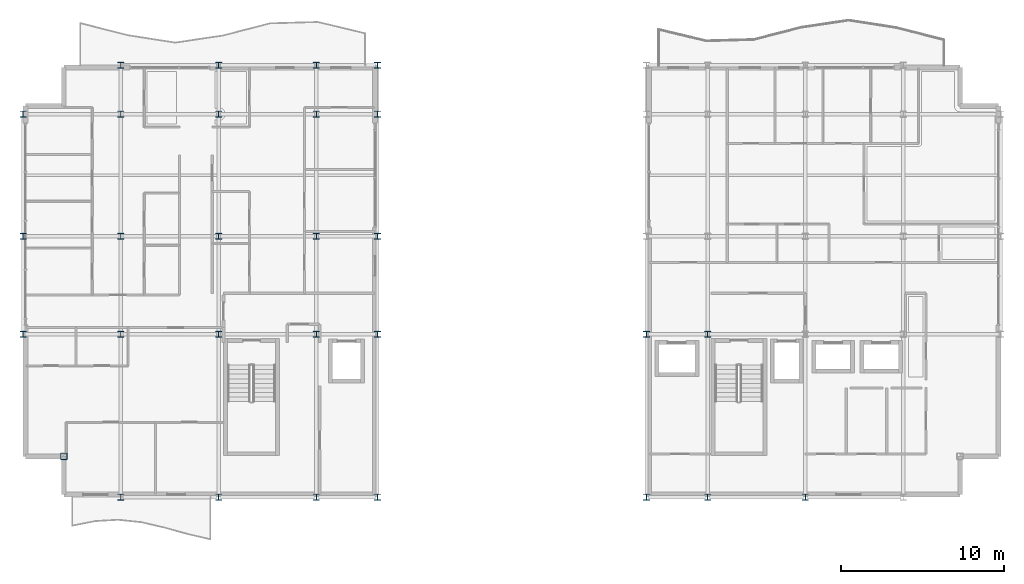
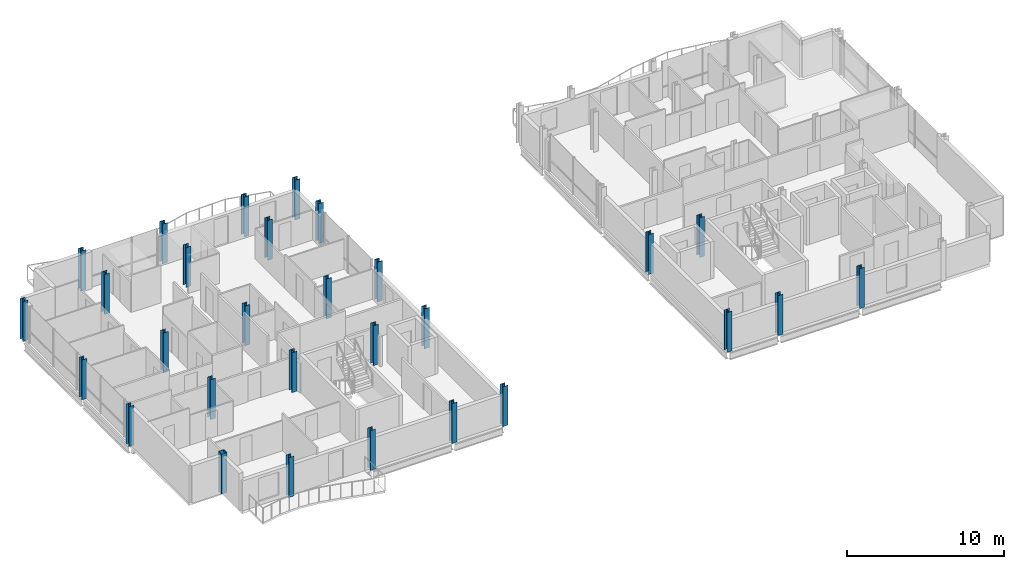
# One storey, part 1 of 29: 29 columns.
"""IFC4 building model written with IfcOpenShell, lengths in metres."""

from ifc_helpers import new_model, si_unit, direction, frame, origin, origin_2d, place, context, subcontext, project, spatial, hollow_rectangle, i_section, extrude, material, material_profile, profile_set, type_object, element, save


model = new_model("IFC4")

# Units and contexts
model_context = context("Model", 3, precision=1e-05, world=origin(), true_north=direction((0.0, 1.0)))
body_context = subcontext(model_context, "Body", "Model", "MODEL_VIEW")
ifc_project = project(units=[si_unit("LENGTHUNIT", "METRE"), si_unit("AREAUNIT", "SQUARE_METRE"), si_unit("VOLUMEUNIT", "CUBIC_METRE"), si_unit("PLANEANGLEUNIT", "RADIAN"), si_unit("MASSUNIT", "GRAM", prefix="KILO")], contexts=[model_context])

# Site, building, storey
site_placement = place(None, origin())
site = spatial("IfcSite", under=ifc_project, at=site_placement, CompositionType="ELEMENT")
building_placement = place(site_placement, origin())
building = spatial("IfcBuilding", under=site, at=building_placement, Name="Brevholm Reach", CompositionType="ELEMENT")
storey_placement = place(building_placement, frame((0.0, 0.0, 208.0)))
storey = spatial("IfcBuildingStorey", under=building, at=storey_placement, Name="L63", CompositionType="ELEMENT", Elevation=208.0)

# Columns
ifc_material_1 = material(Name="Structural Steel S460NH", Category="steel")
ifc_material_profile_1 = material_profile(ifc_material_1, hollow_rectangle(XDim=0.39990234375, YDim=0.39990234375, WallThickness=0.02001953125, InnerFilletRadius=0.011962890625, OuterFilletRadius=0.02392578125, at=origin_2d()), Name="SHS 400x400x20")
ifc_profile_set_1 = profile_set([ifc_material_profile_1], Name="Structural Steel S460NH")
column_type_1 = type_object("IfcColumnType", Name="COL-SHS2", PredefinedType="COLUMN", material=ifc_profile_set_1)
column_placement = place(storey_placement, frame((2.5, 2.5, 0.0), z_axis=(0.0, 0.0, 1.0), x_axis=(1.0, 0.0, 0.0)))
element("IfcColumn", 1, at=column_placement, inside=storey, type_object=column_type_1, Name="L63 Column 04", PredefinedType="COLUMN", context=body_context, shape_type="SweptSolid", body=[
    extrude(hollow_rectangle(XDim=0.39990234375, YDim=0.39990234375, WallThickness=0.02001953125, InnerFilletRadius=0.011962890625, OuterFilletRadius=0.02392578125, at=origin_2d()), origin(), (0.0, 0.0, 1.0), 3.10009765625),
])
ifc_material_2 = material(Name="Structural Steel S355J2", Category="steel")
ifc_material_profile_2 = material_profile(ifc_material_2, i_section(OverallWidth=0.374755859375, OverallDepth=0.37451171875, WebThickness=0.0166015625, FlangeThickness=0.027099609375, FilletRadius=0.01513671875, at=origin_2d()), Name="UKC 356x368x202")
ifc_profile_set_2 = profile_set([ifc_material_profile_2], Name="Structural Steel S355J2")
column_type_2 = type_object("IfcColumnType", Name="COL-UC6", PredefinedType="COLUMN", material=ifc_profile_set_2)
for number, where, z_axis, x_axis, name in (
    (2, (0.0, 10.0, 0.0), (0.0, 0.0, 1.0), (1.0, 0.0, 0.0), "L63 Column 01"),
    (3, (0.0, 16.0, 0.0), (0.0, 0.0, 1.0), (1.0, 0.0, 0.0), "L63 Column 02"),
    (4, (0.0, 23.5, 0.0), (0.0, 0.0, 1.0), (1.0, 0.0, 0.0), "L63 Column 03"),
    (5, (6.0, 0.0, 0.0), (0.0, 0.0, 1.0), (1.0, 0.0, 0.0), "L63 Column 05"),
    (6, (6.0, 10.0, 0.0), (0.0, 0.0, 1.0), (1.0, 0.0, 0.0), "L63 Column 06"),
    (7, (6.0, 16.0, 0.0), (0.0, 0.0, 1.0), (1.0, 0.0, 0.0), "L63 Column 07"),
    (8, (6.0, 23.5, 0.0), (0.0, 0.0, 1.0), (1.0, 0.0, 0.0), "L63 Column 08"),
    (9, (6.0, 26.5, 0.0), (0.0, 0.0, 1.0), (1.0, 0.0, 0.0), "L63 Column 09"),
    (10, (12.0, 0.0, 0.0), (0.0, 0.0, 1.0), (1.0, 0.0, 0.0), "L63 Column 10"),
    (11, (12.0, 10.0, 0.0), (0.0, 0.0, 1.0), (1.0, 0.0, 0.0), "L63 Column 11"),
    (12, (12.0, 16.0, 0.0), (0.0, 0.0, 1.0), (1.0, 0.0, 0.0), "L63 Column 12"),
    (13, (12.0, 23.5, 0.0), (0.0, 0.0, 1.0), (1.0, 0.0, 0.0), "L63 Column 13"),
    (14, (12.0, 26.5, 0.0), (0.0, 0.0, 1.0), (1.0, 0.0, 0.0), "L63 Column 14"),
    (15, (18.0, 0.0, 0.0), (0.0, 0.0, 1.0), (1.0, 0.0, 0.0), "L63 Column 15"),
    (16, (18.0, 10.0, 0.0), (0.0, 0.0, 1.0), (1.0, 0.0, 0.0), "L63 Column 16"),
    (17, (18.0, 16.0, 0.0), (0.0, 0.0, 1.0), (1.0, 0.0, 0.0), "L63 Column 17"),
    (18, (18.0, 23.5, 0.0), (0.0, 0.0, 1.0), (1.0, 0.0, 0.0), "L63 Column 18"),
    (19, (18.0, 26.5, 0.0), (0.0, 0.0, 1.0), (1.0, 0.0, 0.0), "L63 Column 19"),
    (20, (21.75, 0.0, 0.0), (0.0, 0.0, 1.0), (1.0, 0.0, 0.0), "L63 Column 20"),
    (21, (21.75, 10.0, 0.0), (0.0, 0.0, 1.0), (1.0, 0.0, 0.0), "L63 Column 21"),
    (22, (21.75, 16.0, 0.0), (0.0, 0.0, 1.0), (1.0, 0.0, 0.0), "L63 Column 22"),
    (23, (21.75, 23.5, 0.0), (0.0, 0.0, 1.0), (1.0, 0.0, 0.0), "L63 Column 23"),
    (24, (21.75, 26.5, 0.0), (0.0, 0.0, 1.0), (1.0, 0.0, 0.0), "L63 Column 24"),
    (25, (38.25, 0.0, 0.0), (0.0, 0.0, 1.0), (1.0, 0.0, 0.0), "L63 Column 25"),
    (26, (38.25, 10.0, 0.0), (0.0, 0.0, 1.0), (1.0, 0.0, 0.0), "L63 Column 26"),
    (27, (42.0, 0.0, 0.0), (0.0, 0.0, 1.0), (1.0, 0.0, 0.0), "L63 Column 30"),
    (28, (42.0, 10.0, 0.0), (0.0, 0.0, 1.0), (1.0, 0.0, 0.0), "L63 Column 31"),
    (29, (48.0, 0.0, 0.0), (0.0, 0.0, 1.0), (1.0, 0.0, 0.0), "L63 Column 35"),
):
    element("IfcColumn", number, at=place(storey_placement, frame(where, z_axis=z_axis, x_axis=x_axis)), inside=storey, type_object=column_type_2, Name=name, PredefinedType="COLUMN", context=body_context, shape_type="SweptSolid", body=[
        extrude(i_section(OverallWidth=0.374755859375, OverallDepth=0.37451171875, WebThickness=0.0166015625, FlangeThickness=0.027099609375, FilletRadius=0.01513671875, at=origin_2d()), origin(), (0.0, 0.0, 1.0), 3.10009765625),
    ])

save(model, "model.ifc")
